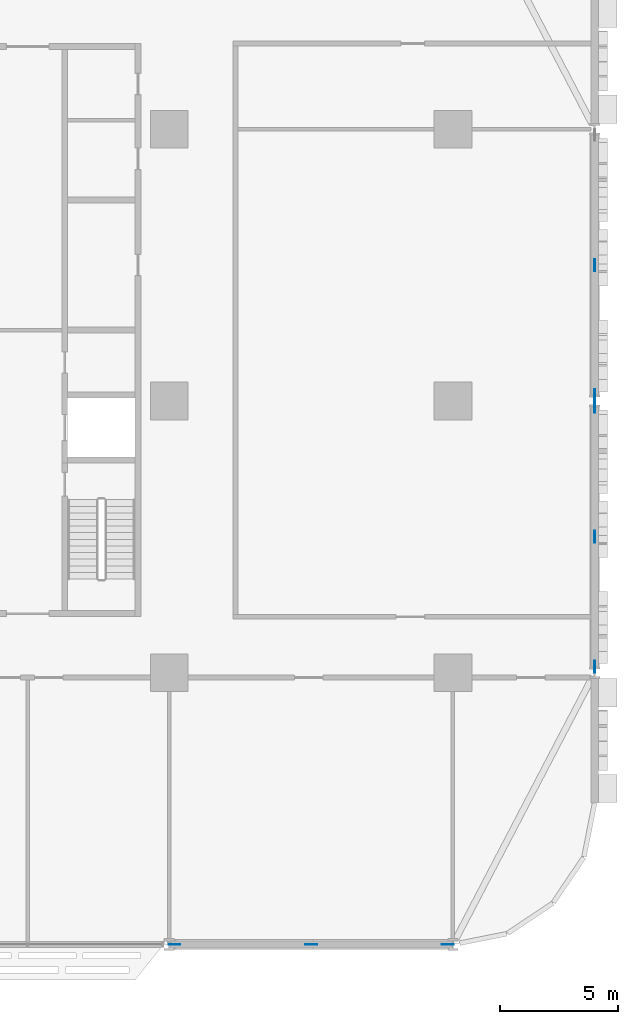
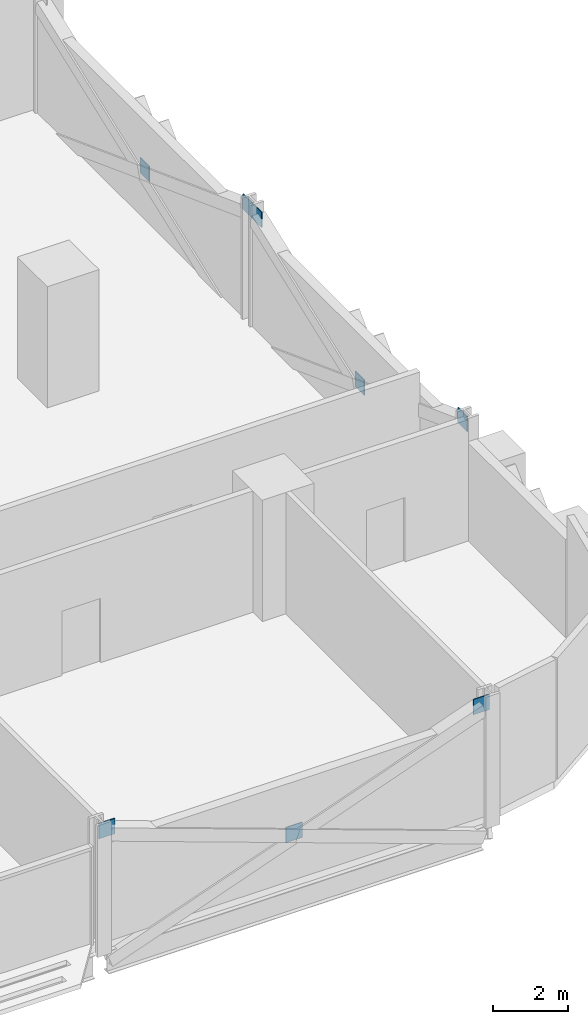
# One storey, part 20 of 27: 8 discrete accessories.
"""IFC4 building model written with IfcOpenShell, lengths in metres."""

from ifc_helpers import new_model, si_unit, direction, frame, origin, origin_2d, place, context, subcontext, project, spatial, rectangle, extrude, material, layer, layer_set, type_object, element, save


model = new_model("IFC4")

# Units and contexts
model_context = context("Model", 3, precision=1e-05, world=origin(), true_north=direction((0.0, 1.0)))
body_context = subcontext(model_context, "Body", "Model", "MODEL_VIEW")
ifc_project = project(units=[si_unit("LENGTHUNIT", "METRE"), si_unit("AREAUNIT", "SQUARE_METRE"), si_unit("VOLUMEUNIT", "CUBIC_METRE"), si_unit("PLANEANGLEUNIT", "RADIAN"), si_unit("MASSUNIT", "GRAM", prefix="KILO")], contexts=[model_context])

# Site, building, storey
site_placement = place(None, origin())
site = spatial("IfcSite", under=ifc_project, at=site_placement, CompositionType="ELEMENT")
building_placement = place(site_placement, origin())
building = spatial("IfcBuilding", under=site, at=building_placement, Name="Mahtab Terrace Research Tower", CompositionType="ELEMENT")
storey_placement = place(building_placement, frame((0.0, 0.0, 28.699951171875)))
storey = spatial("IfcBuildingStorey", under=building, at=storey_placement, Name="L06", CompositionType="ELEMENT", Elevation=28.699951171875)

# Discrete accessories
ifc_material = material(Name="Steel ASTM A992 Gr 50", Category="steel")
ifc_layer = layer(ifc_material, 0.030029296875)
ifc_layer_set = layer_set([ifc_layer], Name="Gusset plate 500x500x30")
discrete_accessory_type = type_object("IfcDiscreteAccessoryType", Name="Gusset plate 500x500x30", PredefinedType="USERDEFINED", material=ifc_layer_set)
for number, where, z_axis, x_axis, name in (
    (1, (30.2158203125, -23.0, 3.33154296875), (0.0, 0.0, 1.0), (1.0, 0.0, 0.0), "Gusset plate"),
    (2, (36.0, -23.0, 1.181640625), (0.0, 0.0, 1.0), (1.0, 0.0, 0.0), "Gusset plate"),
    (3, (41.7841796875, -23.0, 3.33154296875), (0.0, 0.0, 1.0), (1.0, 0.0, 0.0), "Gusset plate"),
    (4, (48.0, -11.251220703125, 3.33154296875), (0.0, 0.0, 1.0), (0.0, 1.0, 0.0), "Gusset plate"),
    (5, (48.0, -5.75, 1.181640625), (0.0, 0.0, 1.0), (0.0, 1.0, 0.0), "Gusset plate"),
    (6, (48.0, -0.248779296875, 3.33154296875), (0.0, 0.0, 1.0), (0.0, 1.0, 0.0), "Gusset plate"),
    (7, (48.0, 0.248779296875, 3.33154296875), (0.0, 0.0, 1.0), (0.0, 1.0, 0.0), "Gusset plate"),
    (8, (48.0, 5.75, 1.181640625), (0.0, 0.0, 1.0), (0.0, 1.0, 0.0), "Gusset plate"),
):
    element("IfcDiscreteAccessory", number, at=place(storey_placement, frame(where, z_axis=z_axis, x_axis=x_axis)), inside=storey, type_object=discrete_accessory_type, Name=name, ObjectType="GUSSET PLATE", PredefinedType="USERDEFINED", context=body_context, shape_type="SweptSolid", body=[
        extrude(rectangle(XDim=0.5, YDim=0.030029296875, at=origin_2d()), origin(), (0.0, 0.0, 1.0), 0.5),
    ])

save(model, "model.ifc")
